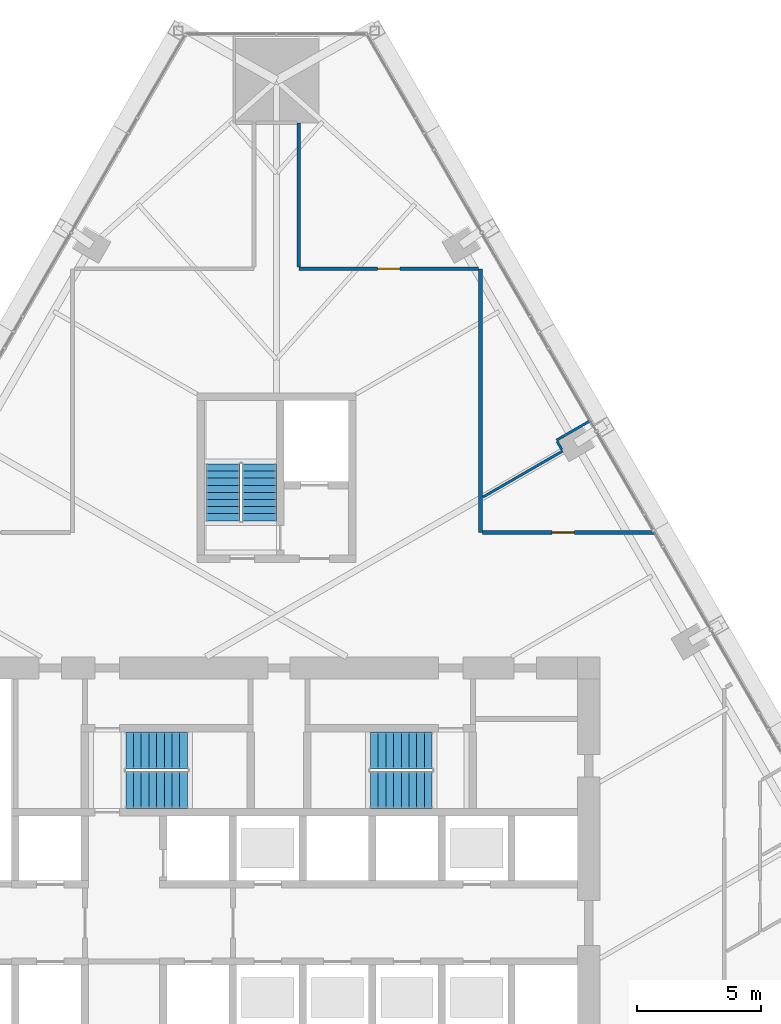
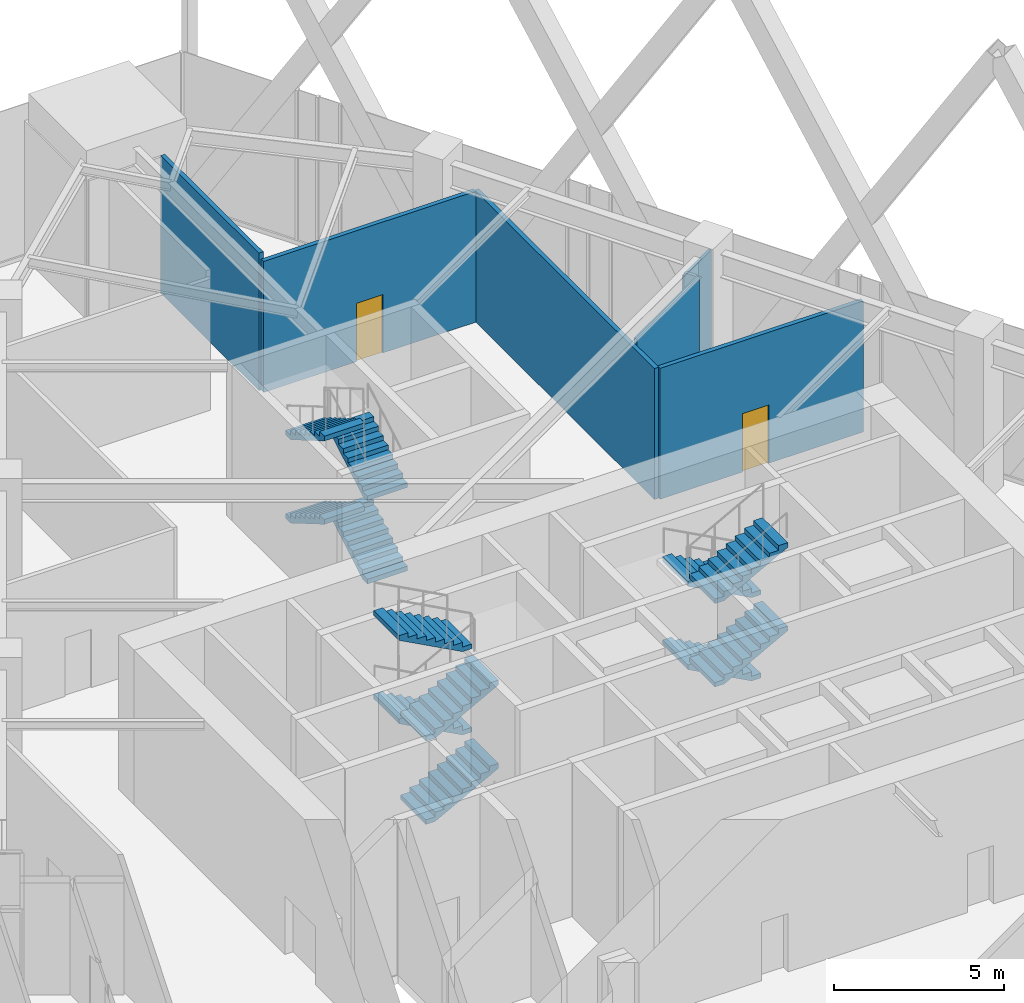
# One storey, part 18 of 21: 12 stair flights, 7 walls, 2 doors, 2 openings, 3 elements without a shape of their own.
"""IFC4 building model written with IfcOpenShell, lengths in metres."""

from ifc_helpers import new_model, si_unit, direction, frame, frame_2d, origin, place, context, subcontext, project, spatial, polyline, rectangle, outline, extrude, material, layer, layer_set, type_object, element, fill, aggregate, save


model = new_model("IFC4")

# Units and contexts
model_context = context("Model", 3, precision=1e-05, world=origin(), true_north=direction((0.0, 1.0)))
body_context = subcontext(model_context, "Body", "Model", "MODEL_VIEW")
ifc_project = project(units=[si_unit("LENGTHUNIT", "METRE"), si_unit("AREAUNIT", "SQUARE_METRE"), si_unit("VOLUMEUNIT", "CUBIC_METRE"), si_unit("PLANEANGLEUNIT", "RADIAN"), si_unit("MASSUNIT", "GRAM", prefix="KILO")], contexts=[model_context])

# Site, building, storey
site_placement = place(None, origin())
site = spatial("IfcSite", under=ifc_project, at=site_placement, CompositionType="ELEMENT")
building_placement = place(site_placement, origin())
building = spatial("IfcBuilding", under=site, at=building_placement, Name="Firuza Gate Tower and Library", CompositionType="ELEMENT")
storey_placement = place(building_placement, frame((0.0, 0.0, 140.800048828125)))
storey = spatial("IfcBuildingStorey", under=building, at=storey_placement, Name="L32", CompositionType="ELEMENT", Elevation=140.800048828125)

# Wall, opening, door
ifc_material_1 = material(Name="Gypsum board partition")
ifc_layer_1 = layer(ifc_material_1, 0.14990234375)
ifc_layer_set_1 = layer_set([ifc_layer_1], Name="Corridor wall 150 double board on steel studs")
wall_type_1 = type_object("IfcWallType", Name="Corridor wall 150 double board on steel studs", PredefinedType="PARTITIONING", material=ifc_layer_set_1)
wall_1_placement = place(storey_placement, frame((83.27490234375, 88.99951171875, 0.0), z_axis=(0.0, 0.0, 1.0), x_axis=(1.0, 0.0, 0.0)))
wall_1 = element("IfcWall", 1, at=wall_1_placement, inside=storey, type_object=wall_type_1, Name="f:L32:w004", PredefinedType="PARTITIONING", context=body_context, shape_type="SweptSolid", body=[
    extrude(rectangle(XDim=6.92529296875, YDim=0.14990234375, at=frame_2d((3.462646484375, 0.0))), origin(), (0.0, 0.0, 1.0), 4.71484375),
])
opening_1_placement = place(wall_1_placement, frame((2.8046875, 0.0, 0.0)))
opening_1 = element("IfcOpeningElement", 2, at=opening_1_placement, cuts=wall_1, Name="Opening L32-05", PredefinedType="OPENING", context=body_context, shape_type="SweptSolid", body=[
    extrude(rectangle(XDim=0.89990234375, YDim=2.10009765625, at=frame_2d((0.449951171875, 1.050048828125))), frame((0.0, 0.0849609375, 0.0), z_axis=(0.0, -1.0, 0.0), x_axis=(1.0, 0.0, 0.0)), (0.0, 0.0, 1.0), 0.169921875),
])
ifc_material_2 = material(Name="Steel door and timber leaf", Category="steel")
door_type = type_object("IfcDoorType", Name="Fire door 900 x 2100 steel frame, timber leaf", OperationType="NOTDEFINED", PredefinedType="DOOR", material=ifc_material_2)
door_1_placement = place(opening_1_placement, origin())
door_1 = element("IfcDoor", 3, at=door_1_placement, inside=storey, type_object=door_type, Name="f:L32:d005", OperationType="SINGLE_SWING_RIGHT", OverallHeight=2.10009765625, OverallWidth=0.89990234375, PredefinedType="DOOR", context=body_context, shape_type="SweptSolid", body=[
    extrude(rectangle(XDim=0.89990234375, YDim=2.10009765625, at=frame_2d((0.449951171875, 1.050048828125))), frame((0.0, 0.02490234375, 0.0), z_axis=(0.0, -1.0, 0.0), x_axis=(1.0, 0.0, 0.0)), (0.0, 0.0, 1.0), 0.050048828125),
])
fill(opening_1, door_1)

wall_2_placement = place(storey_placement, frame((75.89990234375, 99.60009765625, 0.0), z_axis=(0.0, 0.0, 1.0), x_axis=(1.0, 0.0, 0.0)))
wall_2 = element("IfcWall", 4, at=wall_2_placement, inside=storey, type_object=wall_type_1, Name="f:L32:w006", PredefinedType="PARTITIONING", context=body_context, shape_type="SweptSolid", body=[
    extrude(rectangle(XDim=7.224609375, YDim=0.14990234375, at=frame_2d((3.6123046875, 0.0))), origin(), (0.0, 0.0, 1.0), 4.71484375),
])
opening_2_placement = place(wall_2_placement, frame((3.162353515625, 0.0, 0.0)))
opening_2 = element("IfcOpeningElement", 5, at=opening_2_placement, cuts=wall_2, Name="Opening L32-06", PredefinedType="OPENING", context=body_context, shape_type="SweptSolid", body=[
    extrude(rectangle(XDim=0.89990234375, YDim=2.10009765625, at=frame_2d((0.449951171875, 1.050048828125))), frame((0.0, 0.0849609375, 0.0), z_axis=(0.0, -1.0, 0.0), x_axis=(1.0, 0.0, 0.0)), (0.0, 0.0, 1.0), 0.169921875),
])
door_2_placement = place(opening_2_placement, origin())
door_2 = element("IfcDoor", 6, at=door_2_placement, inside=storey, type_object=door_type, Name="f:L32:d006", OperationType="SINGLE_SWING_LEFT", OverallHeight=2.10009765625, OverallWidth=0.89990234375, PredefinedType="DOOR", context=body_context, shape_type="SweptSolid", body=[
    extrude(rectangle(XDim=0.89990234375, YDim=2.10009765625, at=frame_2d((0.449951171875, 1.050048828125))), frame((0.0, 0.02490234375, 0.0), z_axis=(0.0, -1.0, 0.0), x_axis=(1.0, 0.0, 0.0)), (0.0, 0.0, 1.0), 0.050048828125),
])
fill(opening_2, door_2)

# Walls
wall_3_placement = place(storey_placement, frame((83.199951171875, 89.0, 0.0), z_axis=(0.0, 0.0, 1.0), x_axis=(0.0, 1.0, 0.0)))
element("IfcWall", 7, at=wall_3_placement, inside=storey, type_object=wall_type_1, Name="f:L32:w028", PredefinedType="PARTITIONING", context=body_context, shape_type="SweptSolid", body=[
    extrude(rectangle(XDim=10.599609375, YDim=0.14990234375, at=frame_2d((5.2998046875, 0.0))), origin(), (0.0, 0.0, 1.0), 4.71484375),
])
wall_4_placement = place(storey_placement, frame((75.89990234375, 99.675048828125, 0.0), z_axis=(0.0, 0.0, 1.0), x_axis=(0.0, 1.0, 0.0)))
element("IfcWall", 8, at=wall_4_placement, inside=storey, type_object=wall_type_1, Name="f:L32:w029", PredefinedType="PARTITIONING", context=body_context, shape_type="SweptSolid", body=[
    extrude(rectangle(XDim=5.7958984375, YDim=0.14990234375, at=frame_2d((2.89794921875, 0.0))), origin(), (0.0, 0.0, 1.0), 4.949951171875),
])
ifc_material_3 = material(Name="Gypsum board partition")
ifc_layer_2 = layer(ifc_material_3, 0.10009765625)
ifc_layer_set_2 = layer_set([ifc_layer_2], Name="Partition 100 gypsum board on steel studs")
wall_type_2 = type_object("IfcWallType", Name="Partition 100 gypsum board on steel studs", PredefinedType="PARTITIONING", material=ifc_layer_set_2)
wall_5_placement = place(storey_placement, frame((83.30078125, 90.423828125, 0.0), z_axis=(0.0, 0.0, 1.0), x_axis=(0.866011008513, 0.500024932513, 0.0)))
element("IfcWall", 9, at=wall_5_placement, inside=storey, type_object=wall_type_2, Name="f:L32:w018", PredefinedType="PARTITIONING", context=body_context, shape_type="SweptSolid", body=[
    extrude(rectangle(XDim=3.702880859375, YDim=0.10009765625, at=frame_2d((1.8515625, 0.0))), origin(), (0.0, 0.0, 1.0), 4.8720703125),
])
wall_6_placement = place(storey_placement, frame((86.258056640625, 92.70849609375, 0.0), z_axis=(0.0, 0.0, 1.0), x_axis=(0.866018739521, 0.500011542666, 0.0)))
element("IfcWall", 10, at=wall_6_placement, inside=storey, type_object=wall_type_2, Name="f:L32:w019", PredefinedType="PARTITIONING", context=body_context, shape_type="SweptSolid", body=[
    extrude(rectangle(XDim=1.5595703125, YDim=0.10009765625, at=frame_2d((0.77978515625, 0.0))), origin(), (0.0, 0.0, 1.0), 4.71484375),
])
wall_7_placement = place(storey_placement, frame((86.477294921875, 92.326904296875, 0.0), z_axis=(0.0, 0.0, 1.0), x_axis=(-0.499849133735, 0.866112488944, 0.0)))
element("IfcWall", 11, at=wall_7_placement, inside=storey, type_object=wall_type_2, Name="f:L32:w039", PredefinedType="PARTITIONING", context=body_context, shape_type="SweptSolid", body=[
    extrude(rectangle(XDim=0.38916015625, YDim=0.10009765625, at=frame_2d((0.194580078125, 0.0))), origin(), (0.0, 0.0, 1.0), 4.8720703125),
])

# Stair, stair flights
ifc_material_4 = material(Name="Concrete C35/45", Category="concrete")
stair_type_1 = type_object("IfcStairType", Name="Exit stair ST15", PredefinedType="HALF_TURN_STAIR", material=ifc_material_4)
placement = place(storey_placement, origin())
stair_1 = element("IfcStair", 12, at=placement, inside=storey, type_object=stair_type_1, Name="L32 Stair ST3", PredefinedType="HALF_TURN_STAIR")
ifc_material_5 = material(Name="Concrete C35/45", Category="concrete")
stair_flight_type_1 = type_object("IfcStairFlightType", Name="Stair flight 9 risers 166.7 width 1370", PredefinedType="STRAIGHT", material=ifc_material_5)
stair_flight_1_placement = place(storey_placement, frame((74.31494140625, 89.469970703125, 0.0), z_axis=(0.0, 0.0, 1.0), x_axis=(0.0, 1.0, 0.0)))
stair_flight_1 = element("IfcStairFlight", 13, at=stair_flight_1_placement, type_object=stair_flight_type_1, Name="ST3 flight 1", NumberOfRisers=9, NumberOfTreads=8, PredefinedType="STRAIGHT", RiserHeight=0.166666667, TreadLength=0.285, context=body_context, shape_type="SweptSolid", body=[
    extrude(outline(polyline([(0.0, 0.0), (0.0, 0.166748046875), (0.284912109375, 0.166748046875), (0.284912109375, 0.333251953125), (0.570068359375, 0.333251953125), (0.570068359375, 0.5), (0.85498046875, 0.5), (0.85498046875, 0.666748046875), (1.139892578125, 0.666748046875), (1.139892578125, 0.833251953125), (1.425048828125, 0.833251953125), (1.425048828125, 1.0), (1.7099609375, 1.0), (1.7099609375, 1.166748046875), (1.9951171875, 1.166748046875), (1.9951171875, 1.333251953125), (2.280029296875, 1.333251953125), (2.280029296875, 1.5), (2.280029296875, 1.15966796875), (0.296875, 0.0), (0.0, 0.0)])), frame((0.0, 0.68505859375, 0.0), z_axis=(0.0, -1.0, 0.0), x_axis=(1.0, 0.0, 0.0)), (0.0, 0.0, 1.0), 1.3701171875),
])
stair_flight_2_placement = place(storey_placement, frame((72.844970703125, 91.75, 1.5), z_axis=(0.0, 0.0, 1.0), x_axis=(0.0, -1.0, 0.0)))
stair_flight_2 = element("IfcStairFlight", 14, at=stair_flight_2_placement, type_object=stair_flight_type_1, Name="ST3 flight 2", NumberOfRisers=9, NumberOfTreads=8, PredefinedType="STRAIGHT", RiserHeight=0.166666667, TreadLength=0.285, context=body_context, shape_type="SweptSolid", body=[
    extrude(outline(polyline([(0.0, 0.0), (0.0, 0.166748046875), (0.284912109375, 0.166748046875), (0.284912109375, 0.333251953125), (0.570068359375, 0.333251953125), (0.570068359375, 0.5), (0.85498046875, 0.5), (0.85498046875, 0.666748046875), (1.139892578125, 0.666748046875), (1.139892578125, 0.833251953125), (1.425048828125, 0.833251953125), (1.425048828125, 1.0), (1.7099609375, 1.0), (1.7099609375, 1.166748046875), (1.9951171875, 1.166748046875), (1.9951171875, 1.333251953125), (2.280029296875, 1.333251953125), (2.280029296875, 1.5), (2.280029296875, 1.15966796875), (0.296875, 0.0), (0.0, 0.0)])), frame((0.0, 0.68505859375, 0.0), z_axis=(0.0, -1.0, 0.0), x_axis=(1.0, 0.0, 0.0)), (0.0, 0.0, 1.0), 1.3701171875),
])
stair_flight_3_placement = place(storey_placement, frame((74.31494140625, 89.469970703125, 3.0), z_axis=(0.0, 0.0, 1.0), x_axis=(0.0, 1.0, 0.0)))
stair_flight_3 = element("IfcStairFlight", 15, at=stair_flight_3_placement, type_object=stair_flight_type_1, Name="ST3 flight 3", NumberOfRisers=9, NumberOfTreads=8, PredefinedType="STRAIGHT", RiserHeight=0.166666667, TreadLength=0.285, context=body_context, shape_type="SweptSolid", body=[
    extrude(outline(polyline([(0.0, 0.0), (0.0, 0.166748046875), (0.284912109375, 0.166748046875), (0.284912109375, 0.333251953125), (0.570068359375, 0.333251953125), (0.570068359375, 0.5), (0.85498046875, 0.5), (0.85498046875, 0.666748046875), (1.139892578125, 0.666748046875), (1.139892578125, 0.833251953125), (1.425048828125, 0.833251953125), (1.425048828125, 1.0), (1.7099609375, 1.0), (1.7099609375, 1.166748046875), (1.9951171875, 1.166748046875), (1.9951171875, 1.333251953125), (2.280029296875, 1.333251953125), (2.280029296875, 1.5), (2.280029296875, 1.15966796875), (0.296875, 0.0), (0.0, 0.0)])), frame((0.0, 0.68505859375, 0.0), z_axis=(0.0, -1.0, 0.0), x_axis=(1.0, 0.0, 0.0)), (0.0, 0.0, 1.0), 1.3701171875),
])
stair_flight_4_placement = place(storey_placement, frame((72.844970703125, 91.75, 4.5), z_axis=(0.0, 0.0, 1.0), x_axis=(0.0, -1.0, 0.0)))
stair_flight_4 = element("IfcStairFlight", 16, at=stair_flight_4_placement, type_object=stair_flight_type_1, Name="ST3 flight 4", NumberOfRisers=9, NumberOfTreads=8, PredefinedType="STRAIGHT", RiserHeight=0.166666667, TreadLength=0.285, context=body_context, shape_type="SweptSolid", body=[
    extrude(outline(polyline([(0.0, 0.0), (0.0, 0.166748046875), (0.284912109375, 0.166748046875), (0.284912109375, 0.333251953125), (0.570068359375, 0.333251953125), (0.570068359375, 0.5), (0.85498046875, 0.5), (0.85498046875, 0.666748046875), (1.139892578125, 0.666748046875), (1.139892578125, 0.833251953125), (1.425048828125, 0.833251953125), (1.425048828125, 1.0), (1.7099609375, 1.0), (1.7099609375, 1.166748046875), (1.9951171875, 1.166748046875), (1.9951171875, 1.333251953125), (2.280029296875, 1.333251953125), (2.280029296875, 1.5), (2.280029296875, 1.15966796875), (0.296875, 0.0), (0.0, 0.0)])), frame((0.0, 0.68505859375, 0.0), z_axis=(0.0, -1.0, 0.0), x_axis=(1.0, 0.0, 0.0)), (0.0, 0.0, 1.0), 1.3701171875),
])
aggregate(stair_1, [stair_flight_1, stair_flight_2, stair_flight_3, stair_flight_4])

ifc_material_6 = material(Name="Concrete C35/45", Category="concrete")
stair_type_2 = type_object("IfcStairType", Name="Exit stair ST6", PredefinedType="HALF_TURN_STAIR", material=ifc_material_6)
stair_2 = element("IfcStair", 17, at=placement, inside=storey, type_object=stair_type_2, Name="L32 Stair ST1", PredefinedType="HALF_TURN_STAIR")
ifc_material_7 = material(Name="Concrete C35/45", Category="concrete")
stair_flight_type_2 = type_object("IfcStairFlightType", Name="Stair flight 9 risers 166.7 width 1490", PredefinedType="STRAIGHT", material=ifc_material_7)
stair_flight_5_placement = place(storey_placement, frame((68.93994140625, 78.64501953125, 0.0), z_axis=(0.0, 0.0, 1.0), x_axis=(1.0, 0.0, 0.0)))
stair_flight_5 = element("IfcStairFlight", 18, at=stair_flight_5_placement, type_object=stair_flight_type_2, Name="ST1 flight 1", NumberOfRisers=9, NumberOfTreads=8, PredefinedType="STRAIGHT", RiserHeight=0.166666667, TreadLength=0.31, context=body_context, shape_type="SweptSolid", body=[
    extrude(outline(polyline([(0.0, 0.0), (0.0, 0.166748046875), (0.31005859375, 0.166748046875), (0.31005859375, 0.333251953125), (0.6201171875, 0.333251953125), (0.6201171875, 0.5), (0.929931640625, 0.5), (0.929931640625, 0.666748046875), (1.239990234375, 0.666748046875), (1.239990234375, 0.833251953125), (1.550048828125, 0.833251953125), (1.550048828125, 1.0), (1.860107421875, 1.0), (1.860107421875, 1.166748046875), (2.169921875, 1.166748046875), (2.169921875, 1.333251953125), (2.47998046875, 1.333251953125), (2.47998046875, 1.5), (2.47998046875, 1.1630859375), (0.316650390625, 0.0), (0.0, 0.0)])), frame((0.0, 0.7451171875, 0.0), z_axis=(0.0, -1.0, 0.0), x_axis=(1.0, 0.0, 0.0)), (0.0, 0.0, 1.0), 1.489990234375),
])
stair_flight_6_placement = place(storey_placement, frame((71.419921875, 80.235107421875, 1.5), z_axis=(0.0, 0.0, 1.0), x_axis=(-1.0, 0.0, 0.0)))
stair_flight_6 = element("IfcStairFlight", 19, at=stair_flight_6_placement, type_object=stair_flight_type_2, Name="ST1 flight 2", NumberOfRisers=9, NumberOfTreads=8, PredefinedType="STRAIGHT", RiserHeight=0.166666667, TreadLength=0.31, context=body_context, shape_type="SweptSolid", body=[
    extrude(outline(polyline([(0.0, 0.0), (0.0, 0.166748046875), (0.31005859375, 0.166748046875), (0.31005859375, 0.333251953125), (0.6201171875, 0.333251953125), (0.6201171875, 0.5), (0.929931640625, 0.5), (0.929931640625, 0.666748046875), (1.239990234375, 0.666748046875), (1.239990234375, 0.833251953125), (1.550048828125, 0.833251953125), (1.550048828125, 1.0), (1.860107421875, 1.0), (1.860107421875, 1.166748046875), (2.169921875, 1.166748046875), (2.169921875, 1.333251953125), (2.47998046875, 1.333251953125), (2.47998046875, 1.5), (2.47998046875, 1.1630859375), (0.316650390625, 0.0), (0.0, 0.0)])), frame((0.0, 0.7451171875, 0.0), z_axis=(0.0, -1.0, 0.0), x_axis=(1.0, 0.0, 0.0)), (0.0, 0.0, 1.0), 1.489990234375),
])
stair_flight_7_placement = place(storey_placement, frame((68.93994140625, 78.64501953125, 3.0), z_axis=(0.0, 0.0, 1.0), x_axis=(1.0, 0.0, 0.0)))
stair_flight_7 = element("IfcStairFlight", 20, at=stair_flight_7_placement, type_object=stair_flight_type_2, Name="ST1 flight 3", NumberOfRisers=9, NumberOfTreads=8, PredefinedType="STRAIGHT", RiserHeight=0.166666667, TreadLength=0.31, context=body_context, shape_type="SweptSolid", body=[
    extrude(outline(polyline([(0.0, 0.0), (0.0, 0.166748046875), (0.31005859375, 0.166748046875), (0.31005859375, 0.333251953125), (0.6201171875, 0.333251953125), (0.6201171875, 0.5), (0.929931640625, 0.5), (0.929931640625, 0.666748046875), (1.239990234375, 0.666748046875), (1.239990234375, 0.833251953125), (1.550048828125, 0.833251953125), (1.550048828125, 1.0), (1.860107421875, 1.0), (1.860107421875, 1.166748046875), (2.169921875, 1.166748046875), (2.169921875, 1.333251953125), (2.47998046875, 1.333251953125), (2.47998046875, 1.5), (2.47998046875, 1.1630859375), (0.316650390625, 0.0), (0.0, 0.0)])), frame((0.0, 0.7451171875, 0.0), z_axis=(0.0, -1.0, 0.0), x_axis=(1.0, 0.0, 0.0)), (0.0, 0.0, 1.0), 1.489990234375),
])
stair_flight_8_placement = place(storey_placement, frame((71.419921875, 80.235107421875, 4.5), z_axis=(0.0, 0.0, 1.0), x_axis=(-1.0, 0.0, 0.0)))
stair_flight_8 = element("IfcStairFlight", 21, at=stair_flight_8_placement, type_object=stair_flight_type_2, Name="ST1 flight 4", NumberOfRisers=9, NumberOfTreads=8, PredefinedType="STRAIGHT", RiserHeight=0.166666667, TreadLength=0.31, context=body_context, shape_type="SweptSolid", body=[
    extrude(outline(polyline([(0.0, 0.0), (0.0, 0.166748046875), (0.31005859375, 0.166748046875), (0.31005859375, 0.333251953125), (0.6201171875, 0.333251953125), (0.6201171875, 0.5), (0.929931640625, 0.5), (0.929931640625, 0.666748046875), (1.239990234375, 0.666748046875), (1.239990234375, 0.833251953125), (1.550048828125, 0.833251953125), (1.550048828125, 1.0), (1.860107421875, 1.0), (1.860107421875, 1.166748046875), (2.169921875, 1.166748046875), (2.169921875, 1.333251953125), (2.47998046875, 1.333251953125), (2.47998046875, 1.5), (2.47998046875, 1.1630859375), (0.316650390625, 0.0), (0.0, 0.0)])), frame((0.0, 0.7451171875, 0.0), z_axis=(0.0, -1.0, 0.0), x_axis=(1.0, 0.0, 0.0)), (0.0, 0.0, 1.0), 1.489990234375),
])
aggregate(stair_2, [stair_flight_5, stair_flight_6, stair_flight_7, stair_flight_8])

stair_3 = element("IfcStair", 22, at=placement, inside=storey, type_object=stair_type_2, Name="L32 Stair ST2", PredefinedType="HALF_TURN_STAIR")
stair_flight_9_placement = place(storey_placement, frame((81.260009765625, 80.235107421875, 0.0), z_axis=(0.0, 0.0, 1.0), x_axis=(-1.0, 0.0, 0.0)))
stair_flight_9 = element("IfcStairFlight", 23, at=stair_flight_9_placement, type_object=stair_flight_type_2, Name="ST2 flight 1", NumberOfRisers=9, NumberOfTreads=8, PredefinedType="STRAIGHT", RiserHeight=0.166666667, TreadLength=0.31, context=body_context, shape_type="SweptSolid", body=[
    extrude(outline(polyline([(0.0, 0.0), (0.0, 0.166748046875), (0.31005859375, 0.166748046875), (0.31005859375, 0.333251953125), (0.6201171875, 0.333251953125), (0.6201171875, 0.5), (0.929931640625, 0.5), (0.929931640625, 0.666748046875), (1.239990234375, 0.666748046875), (1.239990234375, 0.833251953125), (1.550048828125, 0.833251953125), (1.550048828125, 1.0), (1.860107421875, 1.0), (1.860107421875, 1.166748046875), (2.169921875, 1.166748046875), (2.169921875, 1.333251953125), (2.47998046875, 1.333251953125), (2.47998046875, 1.5), (2.47998046875, 1.1630859375), (0.316650390625, 0.0), (0.0, 0.0)])), frame((0.0, 0.7451171875, 0.0), z_axis=(0.0, -1.0, 0.0), x_axis=(1.0, 0.0, 0.0)), (0.0, 0.0, 1.0), 1.489990234375),
])
stair_flight_10_placement = place(storey_placement, frame((78.780029296875, 78.64501953125, 1.5), z_axis=(0.0, 0.0, 1.0), x_axis=(1.0, 0.0, 0.0)))
stair_flight_10 = element("IfcStairFlight", 24, at=stair_flight_10_placement, type_object=stair_flight_type_2, Name="ST2 flight 2", NumberOfRisers=9, NumberOfTreads=8, PredefinedType="STRAIGHT", RiserHeight=0.166666667, TreadLength=0.31, context=body_context, shape_type="SweptSolid", body=[
    extrude(outline(polyline([(0.0, 0.0), (0.0, 0.166748046875), (0.31005859375, 0.166748046875), (0.31005859375, 0.333251953125), (0.6201171875, 0.333251953125), (0.6201171875, 0.5), (0.929931640625, 0.5), (0.929931640625, 0.666748046875), (1.239990234375, 0.666748046875), (1.239990234375, 0.833251953125), (1.550048828125, 0.833251953125), (1.550048828125, 1.0), (1.860107421875, 1.0), (1.860107421875, 1.166748046875), (2.169921875, 1.166748046875), (2.169921875, 1.333251953125), (2.47998046875, 1.333251953125), (2.47998046875, 1.5), (2.47998046875, 1.1630859375), (0.316650390625, 0.0), (0.0, 0.0)])), frame((0.0, 0.7451171875, 0.0), z_axis=(0.0, -1.0, 0.0), x_axis=(1.0, 0.0, 0.0)), (0.0, 0.0, 1.0), 1.489990234375),
])
stair_flight_11_placement = place(storey_placement, frame((81.260009765625, 80.235107421875, 3.0), z_axis=(0.0, 0.0, 1.0), x_axis=(-1.0, 0.0, 0.0)))
stair_flight_11 = element("IfcStairFlight", 25, at=stair_flight_11_placement, type_object=stair_flight_type_2, Name="ST2 flight 3", NumberOfRisers=9, NumberOfTreads=8, PredefinedType="STRAIGHT", RiserHeight=0.166666667, TreadLength=0.31, context=body_context, shape_type="SweptSolid", body=[
    extrude(outline(polyline([(0.0, 0.0), (0.0, 0.166748046875), (0.31005859375, 0.166748046875), (0.31005859375, 0.333251953125), (0.6201171875, 0.333251953125), (0.6201171875, 0.5), (0.929931640625, 0.5), (0.929931640625, 0.666748046875), (1.239990234375, 0.666748046875), (1.239990234375, 0.833251953125), (1.550048828125, 0.833251953125), (1.550048828125, 1.0), (1.860107421875, 1.0), (1.860107421875, 1.166748046875), (2.169921875, 1.166748046875), (2.169921875, 1.333251953125), (2.47998046875, 1.333251953125), (2.47998046875, 1.5), (2.47998046875, 1.1630859375), (0.316650390625, 0.0), (0.0, 0.0)])), frame((0.0, 0.7451171875, 0.0), z_axis=(0.0, -1.0, 0.0), x_axis=(1.0, 0.0, 0.0)), (0.0, 0.0, 1.0), 1.489990234375),
])
stair_flight_12_placement = place(storey_placement, frame((78.780029296875, 78.64501953125, 4.5), z_axis=(0.0, 0.0, 1.0), x_axis=(1.0, 0.0, 0.0)))
stair_flight_12 = element("IfcStairFlight", 26, at=stair_flight_12_placement, type_object=stair_flight_type_2, Name="ST2 flight 4", NumberOfRisers=9, NumberOfTreads=8, PredefinedType="STRAIGHT", RiserHeight=0.166666667, TreadLength=0.31, context=body_context, shape_type="SweptSolid", body=[
    extrude(outline(polyline([(0.0, 0.0), (0.0, 0.166748046875), (0.31005859375, 0.166748046875), (0.31005859375, 0.333251953125), (0.6201171875, 0.333251953125), (0.6201171875, 0.5), (0.929931640625, 0.5), (0.929931640625, 0.666748046875), (1.239990234375, 0.666748046875), (1.239990234375, 0.833251953125), (1.550048828125, 0.833251953125), (1.550048828125, 1.0), (1.860107421875, 1.0), (1.860107421875, 1.166748046875), (2.169921875, 1.166748046875), (2.169921875, 1.333251953125), (2.47998046875, 1.333251953125), (2.47998046875, 1.5), (2.47998046875, 1.1630859375), (0.316650390625, 0.0), (0.0, 0.0)])), frame((0.0, 0.7451171875, 0.0), z_axis=(0.0, -1.0, 0.0), x_axis=(1.0, 0.0, 0.0)), (0.0, 0.0, 1.0), 1.489990234375),
])
aggregate(stair_3, [stair_flight_9, stair_flight_10, stair_flight_11, stair_flight_12])

save(model, "model.ifc")
